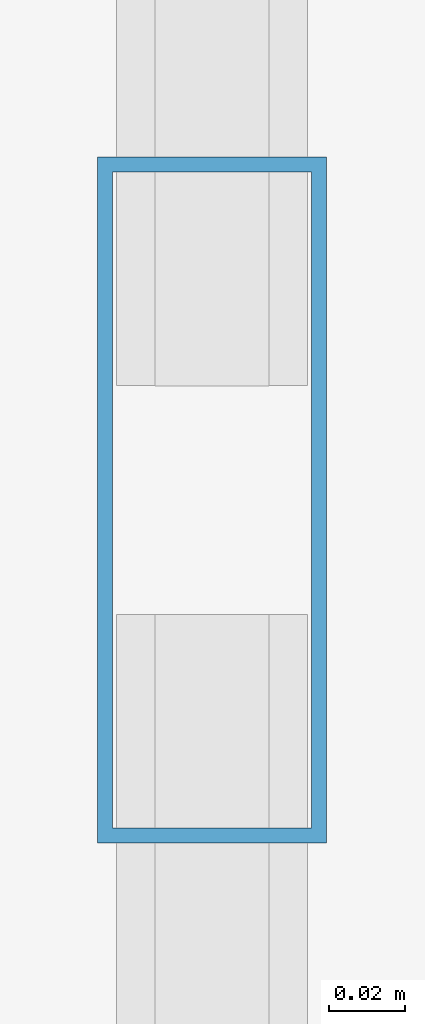
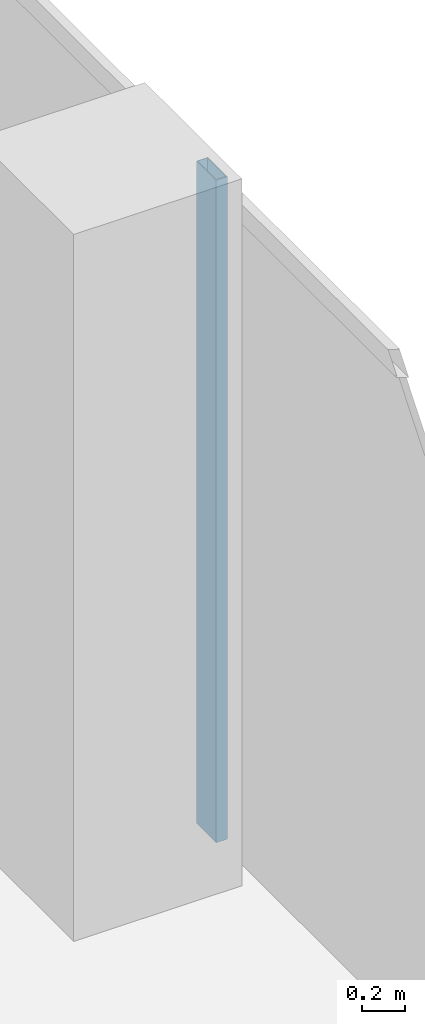
# One storey, part 15 of 35: 1 member, 1 element without a shape of its own.
"""IFC4 building model written with IfcOpenShell, lengths in metres."""

from ifc_helpers import new_model, si_unit, direction, frame, origin, origin_2d, place, context, subcontext, project, spatial, hollow_rectangle, extrude, source, transform, mapped, material, material_profile, profile_set, type_object, element, aggregate, save


model = new_model("IFC4")

# Units and contexts
model_context = context("Model", 3, precision=1e-05, world=origin(), true_north=direction((0.0, 1.0)))
body_context = subcontext(model_context, "Body", "Model", "MODEL_VIEW")
ifc_project = project(units=[si_unit("LENGTHUNIT", "METRE"), si_unit("AREAUNIT", "SQUARE_METRE"), si_unit("VOLUMEUNIT", "CUBIC_METRE"), si_unit("PLANEANGLEUNIT", "RADIAN"), si_unit("MASSUNIT", "GRAM", prefix="KILO")], contexts=[model_context])

# Site, building, storey
site_placement = place(None, origin())
site = spatial("IfcSite", under=ifc_project, at=site_placement, CompositionType="ELEMENT")
building_placement = place(site_placement, origin())
building = spatial("IfcBuilding", under=site, at=building_placement, Name="Khomas Fold Tower", CompositionType="ELEMENT")
storey_placement = place(building_placement, frame((0.0, 0.0, 270.199951171875)))
storey = spatial("IfcBuildingStorey", under=building, at=storey_placement, Name="L61", CompositionType="ELEMENT", Elevation=270.199951171875)

# Curtain wall, member
ifc_material_1 = material(Name="Aluminium framed double glazing", Category="aluminium")
curtain_wall_type = type_object("IfcCurtainWallType", Name="SK-Unitised clear-glass wall, office floors CW2", PredefinedType="NOTDEFINED", material=ifc_material_1)
curtain_wall_placement = place(storey_placement, origin())
curtain_wall = element("IfcCurtainWall", 1, at=curtain_wall_placement, inside=storey, type_object=curtain_wall_type, Name="CW2 run L61 03-0", PredefinedType="NOTDEFINED")
ifc_material_2 = material(Name="Aluminium", Category="aluminium")
ifc_material_profile = material_profile(ifc_material_2, hollow_rectangle(XDim=0.06005859375, YDim=0.179931640625, WallThickness=0.00390625, at=origin_2d()), Name="SK-Unitised clear-glass wall, office floors mullion CW2-M")
ifc_profile_set = profile_set([ifc_material_profile], Name="Aluminium")
member_type = type_object("IfcMemberType", Name="SK-Unitised clear-glass wall, office floors mullion CW2-M", PredefinedType="MULLION", material=ifc_profile_set)
shared_shape = source(origin(), body_context, "Body", "SweptSolid", [
    extrude(hollow_rectangle(XDim=0.06005859375, YDim=0.179931640625, WallThickness=0.00390625, at=origin_2d()), origin(), (0.0, 0.0, 1.0), 3.75),
])
member_placement = place(storey_placement, frame((49.39990234375, 34.5, 0.0), z_axis=(0.0, 0.0, 1.0), x_axis=(-1.0, 0.0, 0.0)))
member = element("IfcMember", 2, at=member_placement, type_object=member_type, Name="CW2 mullion 5", PredefinedType="MULLION", context=body_context, shape_type="MappedRepresentation", body=[
    mapped(shared_shape, transform((0.0, 0.0, 0.0))),
])
aggregate(curtain_wall, [member])

save(model, "model.ifc")
